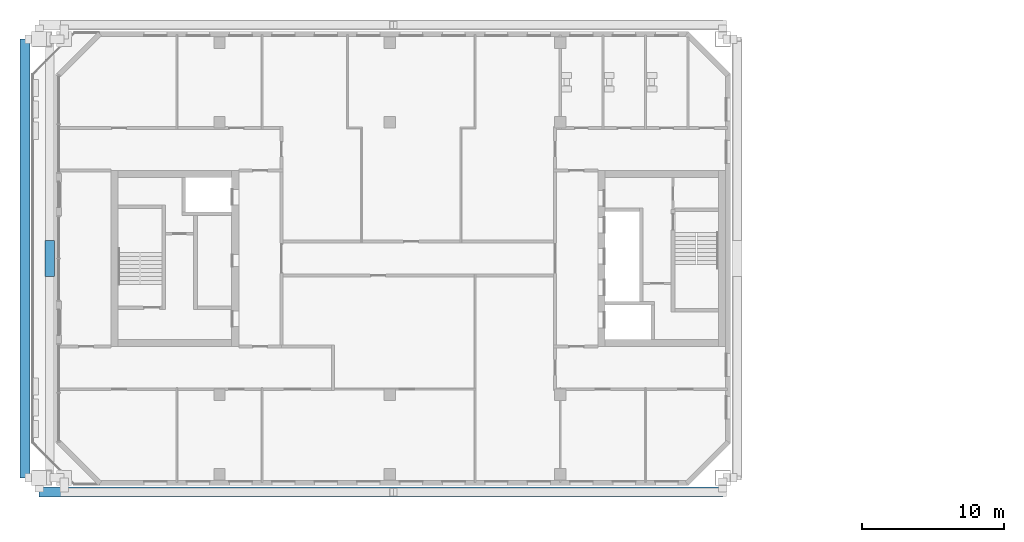
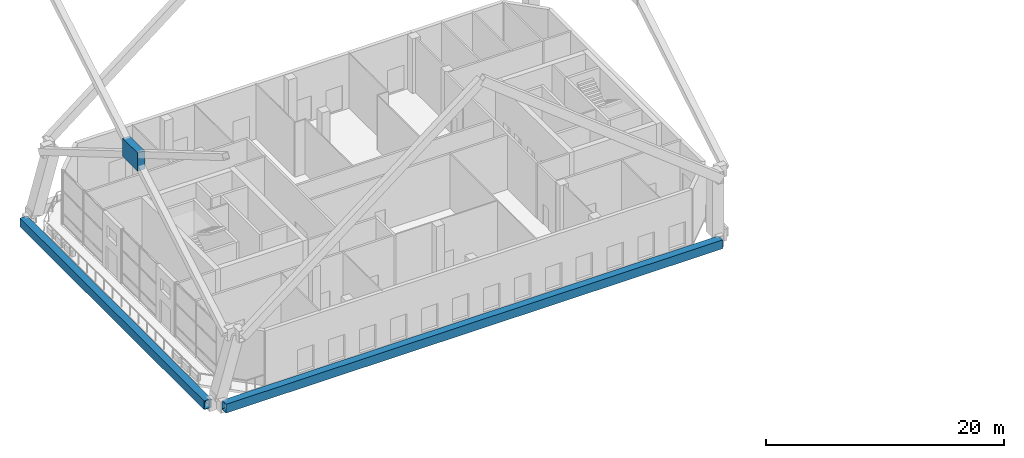
# One storey, part 3 of 20: 2 beams, 1 member.
"""IFC4 building model written with IfcOpenShell, lengths in metres."""

from ifc_helpers import new_model, si_unit, direction, frame, origin, origin_2d, place, context, subcontext, project, spatial, rectangle, hollow_rectangle, extrude, material, material_profile, profile_set, type_object, element, save


model = new_model("IFC4")

# Units and contexts
model_context = context("Model", 3, precision=1e-05, world=origin(), true_north=direction((0.0, 1.0)))
body_context = subcontext(model_context, "Body", "Model", "MODEL_VIEW")
ifc_project = project(units=[si_unit("LENGTHUNIT", "METRE"), si_unit("AREAUNIT", "SQUARE_METRE"), si_unit("VOLUMEUNIT", "CUBIC_METRE"), si_unit("PLANEANGLEUNIT", "RADIAN"), si_unit("MASSUNIT", "GRAM", prefix="KILO")], contexts=[model_context])

# Site, building, storey
site_placement = place(None, origin())
site = spatial("IfcSite", under=ifc_project, at=site_placement, CompositionType="ELEMENT")
building_placement = place(site_placement, origin())
building = spatial("IfcBuilding", under=site, at=building_placement, Name="Tuart Gate Housing", CompositionType="ELEMENT")
storey_placement = place(building_placement, frame((0.0, 0.0, 142.300048828125)))
storey = spatial("IfcBuildingStorey", under=building, at=storey_placement, Name="L40", CompositionType="ELEMENT", Elevation=142.300048828125)

# Member
ifc_material_1 = material(Name="Steel Grade 350", Category="steel")
ifc_material_profile_1 = material_profile(ifc_material_1, rectangle(XDim=2.537109375, YDim=1.864013671875, at=origin_2d()), Name="Brace node plate 2537 x 1864")
ifc_profile_set_1 = profile_set([ifc_material_profile_1], Name="Steel Grade 350")
member_type = type_object("IfcMemberType", Name="Brace node plate 2537 x 1864", PredefinedType="PLATE", material=ifc_profile_set_1)
member_placement = place(storey_placement, frame((27.705078125, 70.0, 15.300048828125), z_axis=(1.0, 0.0, 0.0), x_axis=(0.0, 1.0, 0.0)))
element("IfcMember", 1, at=member_placement, inside=storey, type_object=member_type, Name="Brace node A zone 6 west", PredefinedType="PLATE", context=body_context, shape_type="SweptSolid", body=[
    extrude(rectangle(XDim=2.537109375, YDim=1.864013671875, at=origin_2d()), origin(), (0.0, 0.0, 1.0), 0.68994140625),
])

# Beams
ifc_material_2 = material(Name="Steel Grade 350", Category="steel")
ifc_material_profile_2 = material_profile(ifc_material_2, hollow_rectangle(XDim=0.699951171875, YDim=0.89990234375, WallThickness=0.0400390625, at=origin_2d()), Name="BOX 900x700x40")
ifc_profile_set_2 = profile_set([ifc_material_profile_2], Name="Steel Grade 350")
beam_type_1 = type_object("IfcBeamType", Name="Tie beam BOX 900x700x40", PredefinedType="BEAM", material=ifc_profile_set_2)
beam_1_placement = place(storey_placement, frame((26.300048828125, 54.550048828125, -0.400146484375), z_axis=(0.0, 1.0, 0.0), x_axis=(-1.0, 0.0, 0.0)))
element("IfcBeam", 2, at=beam_1_placement, inside=storey, type_object=beam_type_1, Name="Mega tie beam A node 5 west L40", PredefinedType="BEAM", context=body_context, shape_type="SweptSolid", body=[
    extrude(hollow_rectangle(XDim=0.699951171875, YDim=0.89990234375, WallThickness=0.0400390625, at=origin_2d()), origin(), (0.0, 0.0, 1.0), 30.89990234375),
])
ifc_material_3 = material(Name="Steel Grade 350", Category="steel")
ifc_material_profile_3 = material_profile(ifc_material_3, hollow_rectangle(XDim=0.699951171875, YDim=0.89990234375, WallThickness=0.0400390625, at=origin_2d()), Name="BOX 900x700x40")
ifc_profile_set_3 = profile_set([ifc_material_profile_3], Name="Steel Grade 350")
beam_type_2 = type_object("IfcBeamType", Name="Tie beam BOX 900x700x40 (40.6-51.7 m)", PredefinedType="BEAM", material=ifc_profile_set_3)
beam_2_placement = place(storey_placement, frame((27.300048828125, 53.550048828125, -0.400146484375), z_axis=(1.0, 0.0, 0.0), x_axis=(0.0, 1.0, 0.0)))
element("IfcBeam", 3, at=beam_2_placement, inside=storey, type_object=beam_type_2, Name="Mega tie beam A node 5 south L40", PredefinedType="BEAM", context=body_context, shape_type="SweptSolid", body=[
    extrude(hollow_rectangle(XDim=0.699951171875, YDim=0.89990234375, WallThickness=0.0400390625, at=origin_2d()), origin(), (0.0, 0.0, 1.0), 48.14990234375),
])

save(model, "model.ifc")
